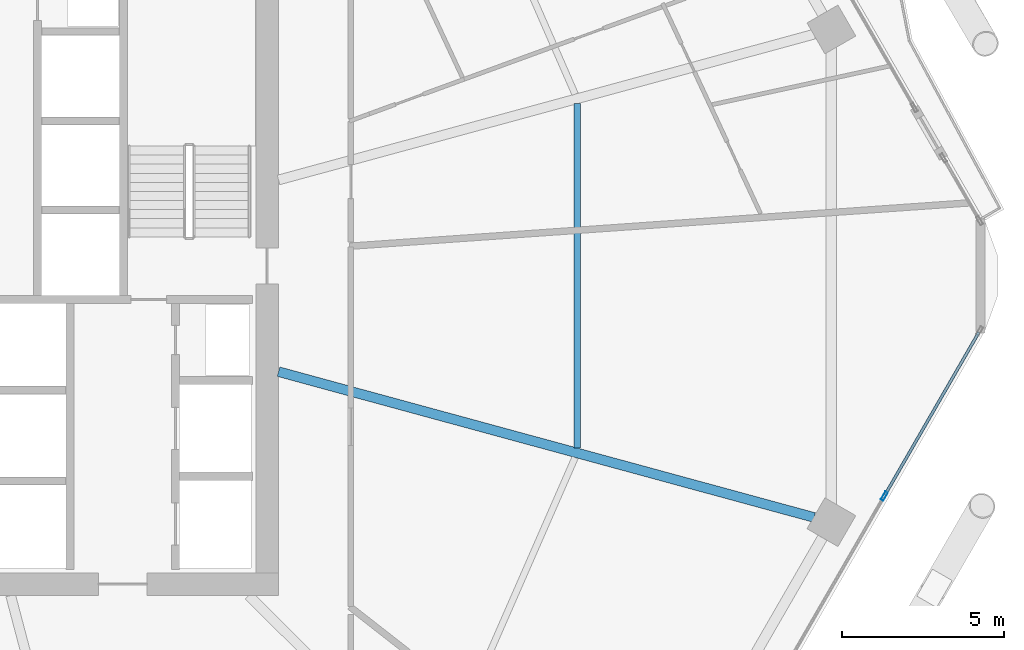
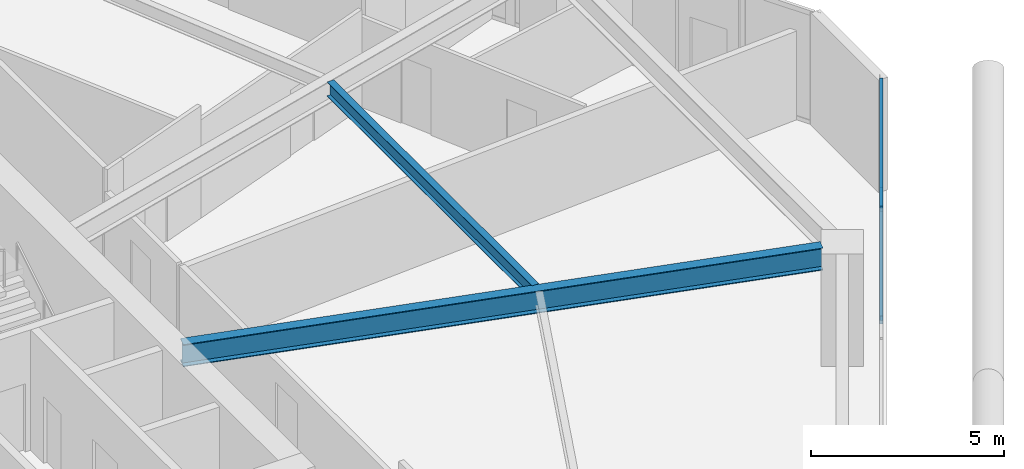
# One storey, part 12 of 34: 3 members, 2 beams, 1 element without a shape of its own.
"""IFC4 building model written with IfcOpenShell, lengths in metres."""

from ifc_helpers import new_model, si_unit, direction, frame, origin, origin_2d, place, context, subcontext, project, spatial, hollow_rectangle, i_section, extrude, material, material_profile, profile_set, type_object, element, aggregate, save


model = new_model("IFC4")

# Units and contexts
model_context = context("Model", 3, precision=1e-05, world=origin(), true_north=direction((0.0, 1.0)))
body_context = subcontext(model_context, "Body", "Model", "MODEL_VIEW")
ifc_project = project(units=[si_unit("LENGTHUNIT", "METRE"), si_unit("AREAUNIT", "SQUARE_METRE"), si_unit("VOLUMEUNIT", "CUBIC_METRE"), si_unit("PLANEANGLEUNIT", "RADIAN"), si_unit("MASSUNIT", "GRAM", prefix="KILO")], contexts=[model_context])

# Site, building, storey
site_placement = place(None, origin())
site = spatial("IfcSite", under=ifc_project, at=site_placement, CompositionType="ELEMENT")
building_placement = place(site_placement, origin())
building = spatial("IfcBuilding", under=site, at=building_placement, Name="Zuhravey Tower", CompositionType="ELEMENT")
storey_placement = place(building_placement, frame((0.0, 0.0, 100.0)))
storey = spatial("IfcBuildingStorey", under=building, at=storey_placement, Name="L24", CompositionType="ELEMENT", Elevation=100.0)

# Curtain wall, members
ifc_material_1 = material(Name="Thermally broken anodised aluminium", Category="aluminium")
curtain_wall_type = type_object("IfcCurtainWallType", Name="Zone 1-2 Residential Curtain Wall CW3", PredefinedType="NOTDEFINED", material=ifc_material_1)
curtain_wall_placement = place(storey_placement, origin())
curtain_wall = element("IfcCurtainWall", 1, at=curtain_wall_placement, inside=storey, type_object=curtain_wall_type, Name="L24 CW3 CW-L24-F6-1", PredefinedType="NOTDEFINED")
ifc_material_2 = material(Name="Anodised aluminium", Category="aluminium")
ifc_material_profile_1 = material_profile(ifc_material_2, hollow_rectangle(XDim=0.090087890625, YDim=0.284912109375, WallThickness=0.0048828125, at=origin_2d()), Name="ALU-RHS-90x285x5")
ifc_profile_set_1 = profile_set([ifc_material_profile_1], Name="Anodised aluminium")
member_type_1 = type_object("IfcMemberType", Name="Curtain-Wall Mullion 90x180", PredefinedType="MULLION", material=ifc_profile_set_1)
member_1_placement = place(storey_placement, frame((65.5185546875, 25.210693359375, 0.0), z_axis=(0.0, 0.0, 1.0), x_axis=(0.86602552265, -0.499999794119, 0.0)))
member_1 = element("IfcMember", 2, at=member_1_placement, type_object=member_type_1, Name="CW3 mullion 2", PredefinedType="MULLION", context=body_context, shape_type="SweptSolid", body=[
    extrude(hollow_rectangle(XDim=0.090087890625, YDim=0.284912109375, WallThickness=0.0048828125, at=origin_2d()), origin(), (0.0, 0.0, 1.0), 3.550048828125),
])
ifc_material_profile_2 = material_profile(ifc_material_2, hollow_rectangle(XDim=0.090087890625, YDim=0.14990234375, WallThickness=0.0048828125, at=origin_2d()), Name="ALU-RHS-90x150x5")
ifc_profile_set_2 = profile_set([ifc_material_profile_2], Name="Anodised aluminium")
member_type_2 = type_object("IfcMemberType", Name="Curtain-Wall Transom 90x150", PredefinedType="USERDEFINED", material=ifc_profile_set_2)
member_2_placement = place(storey_placement, frame((68.43359375, 30.259521484375, 0.044921875), z_axis=(-0.500024450573, -0.866011286779, 0.0), x_axis=(0.866011286779, -0.500024450573, 0.0)))
member_2 = element("IfcMember", 3, at=member_2_placement, type_object=member_type_2, Name="CW3 transom 1.1", ObjectType="TRANSOM", PredefinedType="USERDEFINED", context=body_context, shape_type="SweptSolid", body=[
    extrude(hollow_rectangle(XDim=0.090087890625, YDim=0.14990234375, WallThickness=0.0048828125, at=origin_2d()), origin(), (0.0, 0.0, 1.0), 5.784912109375),
])
member_3_placement = place(storey_placement, frame((68.43359375, 30.259521484375, 3.5048828125), z_axis=(-0.500024450573, -0.866011286779, 0.0), x_axis=(0.866011286779, -0.500024450573, 0.0)))
member_3 = element("IfcMember", 4, at=member_3_placement, type_object=member_type_2, Name="CW3 transom 1.2", ObjectType="TRANSOM", PredefinedType="USERDEFINED", context=body_context, shape_type="SweptSolid", body=[
    extrude(hollow_rectangle(XDim=0.090087890625, YDim=0.14990234375, WallThickness=0.0048828125, at=origin_2d()), origin(), (0.0, 0.0, 1.0), 5.784912109375),
])
aggregate(curtain_wall, [member_1, member_2, member_3])

# Beams
ifc_material_3 = material(Name="Steel SM355", Category="steel")
ifc_material_profile_3 = material_profile(ifc_material_3, i_section(OverallWidth=0.300048828125, OverallDepth=0.699951171875, WebThickness=0.012939453125, FlangeThickness=0.02392578125, at=origin_2d()), Name="H-700x300x13x24")
ifc_profile_set_3 = profile_set([ifc_material_profile_3], Name="Steel SM355")
beam_type_1 = type_object("IfcBeamType", Name="Radial Primary Girder H700x300", PredefinedType="BEAM", material=ifc_profile_set_3)
beam_1_placement = place(storey_placement, frame((46.85302734375, 29.045654296875, 3.199951171875), z_axis=(0.964893166225, -0.262642680791, 0.0), x_axis=(0.262642680791, 0.964893166225, 0.0)))
element("IfcBeam", 5, at=beam_1_placement, inside=storey, type_object=beam_type_1, Name="L24 RG1 BM-L24-RAD-12", PredefinedType="BEAM", context=body_context, shape_type="SweptSolid", body=[
    extrude(i_section(OverallWidth=0.300048828125, OverallDepth=0.699951171875, WebThickness=0.012939453125, FlangeThickness=0.02392578125, at=origin_2d()), origin(), (0.0, 0.0, 1.0), 17.102783203125),
])
ifc_material_profile_4 = material_profile(ifc_material_3, i_section(OverallWidth=0.199951171875, OverallDepth=0.449951171875, WebThickness=0.009033203125, FlangeThickness=0.013916015625, at=origin_2d()), Name="H-450x200x9x14")
ifc_profile_set_4 = profile_set([ifc_material_profile_4], Name="Steel SM355")
beam_type_2 = type_object("IfcBeamType", Name="Secondary Floor Joist H450x200", PredefinedType="JOIST", material=ifc_profile_set_4)
beam_2_placement = place(storey_placement, frame((56.052490234375, 26.695556640625, 3.324951171875), z_axis=(0.0, 1.0, 0.0), x_axis=(-1.0, 0.0, 0.0)))
element("IfcBeam", 6, at=beam_2_placement, inside=storey, type_object=beam_type_2, Name="L24 SJ1 BM-L24-SJ-12-1", PredefinedType="JOIST", context=body_context, shape_type="SweptSolid", body=[
    extrude(i_section(OverallWidth=0.199951171875, OverallDepth=0.449951171875, WebThickness=0.009033203125, FlangeThickness=0.013916015625, at=origin_2d()), origin(), (0.0, 0.0, 1.0), 10.60888671875),
])

save(model, "model.ifc")
